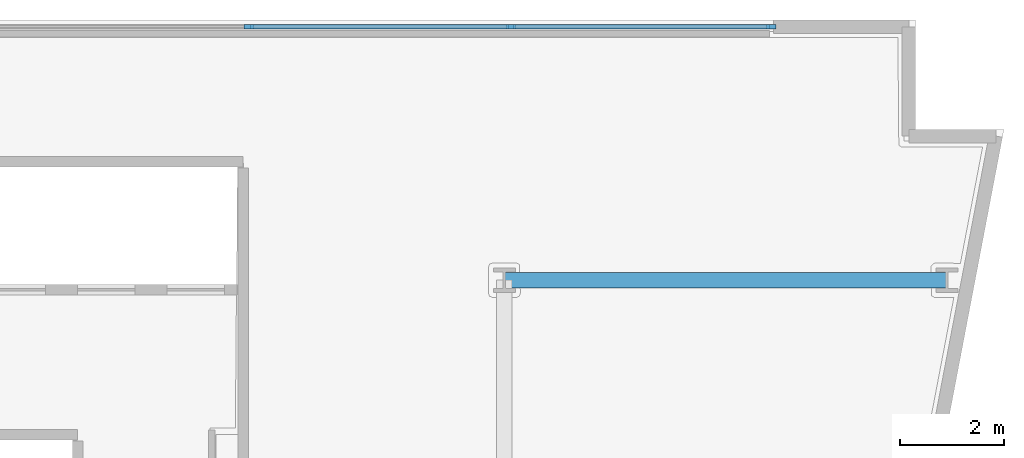
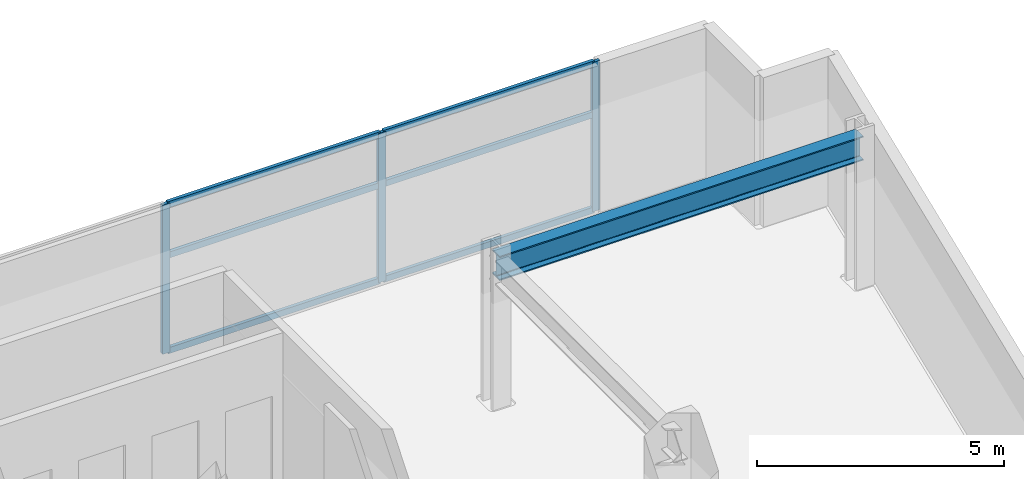
# One storey, part 4 of 13: 9 members, 1 beam, 1 element without a shape of its own.
"""IFC4 building model written with IfcOpenShell, lengths in metres."""

from ifc_helpers import new_model, si_unit, direction, frame, origin, origin_2d, place, context, subcontext, project, spatial, rectangle, i_section, extrude, material, layer, layer_set, material_profile, profile_set, type_object, element, aggregate, save


model = new_model("IFC4")

# Units and contexts
model_context = context("Model", 3, precision=1e-05, world=origin(), true_north=direction((0.0, 1.0)))
body_context = subcontext(model_context, "Body", "Model", "MODEL_VIEW")
ifc_project = project(units=[si_unit("LENGTHUNIT", "METRE"), si_unit("AREAUNIT", "SQUARE_METRE"), si_unit("VOLUMEUNIT", "CUBIC_METRE"), si_unit("PLANEANGLEUNIT", "RADIAN"), si_unit("MASSUNIT", "GRAM", prefix="KILO")], contexts=[model_context])

# Site, building, storey
site_placement = place(None, origin())
site = spatial("IfcSite", under=ifc_project, at=site_placement, CompositionType="ELEMENT")
building_placement = place(site_placement, origin())
building = spatial("IfcBuilding", under=site, at=building_placement, Name="Caeloran Harvest Quay", CompositionType="ELEMENT")
storey_placement = place(building_placement, frame((0.0, 0.0, 139.050048828125)))
storey = spatial("IfcBuildingStorey", under=building, at=storey_placement, Name="L32", CompositionType="ELEMENT", Elevation=139.050048828125)

# Beam
ifc_material_1 = material(Name="Steel S355J2", Category="steel")
ifc_material_profile_1 = material_profile(ifc_material_1, i_section(OverallWidth=0.300048828125, OverallDepth=0.60009765625, WebThickness=0.015380859375, FlangeThickness=0.030029296875, FilletRadius=0.027099609375, at=origin_2d()), Name="HE 600 B")
ifc_profile_set_1 = profile_set([ifc_material_profile_1], Name="Steel S355J2")
beam_type = type_object("IfcBeamType", Name="BM-PG-3-HE_600_B", PredefinedType="BEAM", material=ifc_profile_set_1)
beam_placement = place(storey_placement, frame((42.5, 38.5, 3.389892578125), z_axis=(1.0, 0.0, 0.0), x_axis=(0.0, 1.0, 0.0)))
element("IfcBeam", 1, at=beam_placement, inside=storey, type_object=beam_type, Name="L32 Primary East-West Girder Y=38.5", PredefinedType="BEAM", context=body_context, shape_type="SweptSolid", body=[
    extrude(i_section(OverallWidth=0.300048828125, OverallDepth=0.60009765625, WebThickness=0.015380859375, FlangeThickness=0.030029296875, FilletRadius=0.027099609375, at=origin_2d()), origin(), (0.0, 0.0, 1.0), 8.5),
])

# Curtain wall, members
ifc_material_2 = material(Name="Aluminium 6063-T6 and Low-E Glazing", Category="aluminium")
ifc_layer = layer(ifc_material_2, 0.18994140625, Name="Aluminium 6063-T6 and Low-E Glazing")
ifc_layer_set = layer_set([ifc_layer], Name="Aluminium 6063-T6 and Low-E Glazing")
curtain_wall_type = type_object("IfcCurtainWallType", Name="CW-SYS-CW-3", PredefinedType="USERDEFINED", material=ifc_layer_set)
curtain_wall_placement = place(storey_placement, origin())
curtain_wall = element("IfcCurtainWall", 2, at=curtain_wall_placement, inside=storey, type_object=curtain_wall_type, Name="L32 Unitised Curtain Wall CW-3 Run 6", ObjectType="CURTAIN_WALL", PredefinedType="USERDEFINED")
ifc_material_3 = material(Name="Aluminium 6063-T6", Category="aluminium")
ifc_material_profile_2 = material_profile(ifc_material_3, rectangle(XDim=0.080078125, YDim=0.179931640625, at=origin_2d()), Name="CW-MULLION-180")
ifc_profile_set_2 = profile_set([ifc_material_profile_2], Name="Aluminium 6063-T6")
member_type_1 = type_object("IfcMemberType", Name="CW-MULLION-180", PredefinedType="MULLION", material=ifc_profile_set_2)
member_1_placement = place(storey_placement, frame((37.5849609375, 43.3701171875, 0.0), z_axis=(0.0, 0.0, 1.0), x_axis=(0.0, 1.0, 0.0)))
member_1 = element("IfcMember", 3, at=member_1_placement, type_object=member_type_1, Name="CW-3 mullion 7", PredefinedType="MULLION", context=body_context, shape_type="SweptSolid", body=[
    extrude(rectangle(XDim=0.080078125, YDim=0.179931640625, at=origin_2d()), origin(), (0.0, 0.0, 1.0), 3.68994140625),
])
member_2_placement = place(storey_placement, frame((42.62744140625, 43.3701171875, 0.0), z_axis=(0.0, 0.0, 1.0), x_axis=(0.0, 1.0, 0.0)))
member_2 = element("IfcMember", 4, at=member_2_placement, type_object=member_type_1, Name="CW-3 mullion 8", PredefinedType="MULLION", context=body_context, shape_type="SweptSolid", body=[
    extrude(rectangle(XDim=0.080078125, YDim=0.179931640625, at=origin_2d()), origin(), (0.0, 0.0, 1.0), 3.68994140625),
])
member_3_placement = place(storey_placement, frame((47.6298828125, 43.3701171875, 0.0), z_axis=(0.0, 0.0, 1.0), x_axis=(0.0, 1.0, 0.0)))
member_3 = element("IfcMember", 5, at=member_3_placement, type_object=member_type_1, Name="CW-3 mullion 9", PredefinedType="MULLION", context=body_context, shape_type="SweptSolid", body=[
    extrude(rectangle(XDim=0.080078125, YDim=0.179931640625, at=origin_2d()), origin(), (0.0, 0.0, 1.0), 3.68994140625),
])
ifc_material_profile_3 = material_profile(ifc_material_3, rectangle(XDim=0.080078125, YDim=0.14990234375, at=origin_2d()), Name="CW-TRANSOM-150")
ifc_profile_set_3 = profile_set([ifc_material_profile_3], Name="Aluminium 6063-T6")
member_type_2 = type_object("IfcMemberType", Name="CW-TRANSOM-150", PredefinedType="USERDEFINED", material=ifc_profile_set_3)
member_4_placement = place(storey_placement, frame((37.625, 43.3701171875, 0.0400390625), z_axis=(1.0, 0.0, 0.0), x_axis=(0.0, 1.0, 0.0)))
member_4 = element("IfcMember", 6, at=member_4_placement, type_object=member_type_2, Name="CW-3 transom 7.1", ObjectType="TRANSOM", PredefinedType="USERDEFINED", context=body_context, shape_type="SweptSolid", body=[
    extrude(rectangle(XDim=0.080078125, YDim=0.14990234375, at=origin_2d()), origin(), (0.0, 0.0, 1.0), 4.96240234375),
])
member_5_placement = place(storey_placement, frame((37.625, 43.3701171875, 2.39990234375), z_axis=(1.0, 0.0, 0.0), x_axis=(0.0, 1.0, 0.0)))
member_5 = element("IfcMember", 7, at=member_5_placement, type_object=member_type_2, Name="CW-3 transom 7.2", ObjectType="TRANSOM", PredefinedType="USERDEFINED", context=body_context, shape_type="SweptSolid", body=[
    extrude(rectangle(XDim=0.080078125, YDim=0.14990234375, at=origin_2d()), origin(), (0.0, 0.0, 1.0), 4.96240234375),
])
member_6_placement = place(storey_placement, frame((37.625, 43.3701171875, 3.64990234375), z_axis=(1.0, 0.0, 0.0), x_axis=(0.0, 1.0, 0.0)))
member_6 = element("IfcMember", 8, at=member_6_placement, type_object=member_type_2, Name="CW-3 transom 7.3", ObjectType="TRANSOM", PredefinedType="USERDEFINED", context=body_context, shape_type="SweptSolid", body=[
    extrude(rectangle(XDim=0.080078125, YDim=0.14990234375, at=origin_2d()), origin(), (0.0, 0.0, 1.0), 4.96240234375),
])
member_7_placement = place(storey_placement, frame((42.66748046875, 43.3701171875, 0.0400390625), z_axis=(1.0, 0.0, 0.0), x_axis=(0.0, 1.0, 0.0)))
member_7 = element("IfcMember", 9, at=member_7_placement, type_object=member_type_2, Name="CW-3 transom 8.1", ObjectType="TRANSOM", PredefinedType="USERDEFINED", context=body_context, shape_type="SweptSolid", body=[
    extrude(rectangle(XDim=0.080078125, YDim=0.14990234375, at=origin_2d()), origin(), (0.0, 0.0, 1.0), 4.922607421875),
])
member_8_placement = place(storey_placement, frame((42.66748046875, 43.3701171875, 2.39990234375), z_axis=(1.0, 0.0, 0.0), x_axis=(0.0, 1.0, 0.0)))
member_8 = element("IfcMember", 10, at=member_8_placement, type_object=member_type_2, Name="CW-3 transom 8.2", ObjectType="TRANSOM", PredefinedType="USERDEFINED", context=body_context, shape_type="SweptSolid", body=[
    extrude(rectangle(XDim=0.080078125, YDim=0.14990234375, at=origin_2d()), origin(), (0.0, 0.0, 1.0), 4.922607421875),
])
member_9_placement = place(storey_placement, frame((42.66748046875, 43.3701171875, 3.64990234375), z_axis=(1.0, 0.0, 0.0), x_axis=(0.0, 1.0, 0.0)))
member_9 = element("IfcMember", 11, at=member_9_placement, type_object=member_type_2, Name="CW-3 transom 8.3", ObjectType="TRANSOM", PredefinedType="USERDEFINED", context=body_context, shape_type="SweptSolid", body=[
    extrude(rectangle(XDim=0.080078125, YDim=0.14990234375, at=origin_2d()), origin(), (0.0, 0.0, 1.0), 4.922607421875),
])
aggregate(curtain_wall, [member_1, member_2, member_3, member_4, member_5, member_6, member_7, member_8, member_9])

save(model, "model.ifc")
